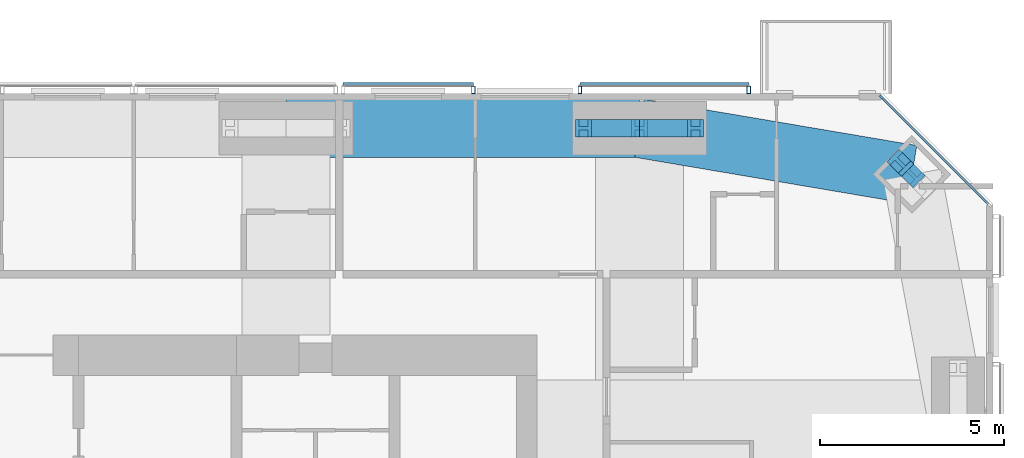
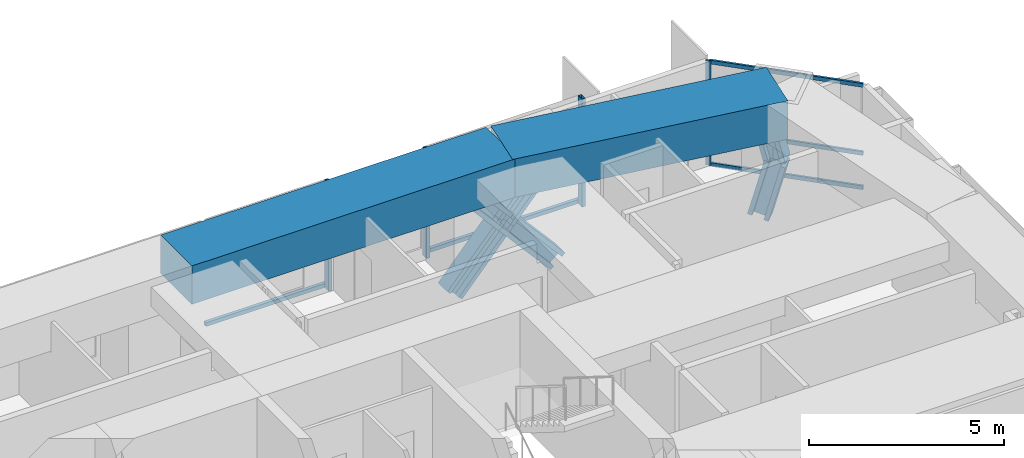
# One storey, part 11 of 19: 15 members, 2 beams, 3 elements without a shape of their own.
"""IFC4 building model written with IfcOpenShell, lengths in metres."""

from ifc_helpers import new_model, si_unit, direction, frame, origin, origin_2d, place, context, subcontext, project, spatial, rectangle, hollow_rectangle, i_section, extrude, material, material_profile, profile_set, type_object, element, aggregate, save


model = new_model("IFC4")

# Units and contexts
model_context = context("Model", 3, precision=1e-05, world=origin(), true_north=direction((0.0, 1.0)))
body_context = subcontext(model_context, "Body", "Model", "MODEL_VIEW")
ifc_project = project(units=[si_unit("LENGTHUNIT", "METRE"), si_unit("AREAUNIT", "SQUARE_METRE"), si_unit("VOLUMEUNIT", "CUBIC_METRE"), si_unit("PLANEANGLEUNIT", "RADIAN"), si_unit("MASSUNIT", "GRAM", prefix="KILO")], contexts=[model_context])

# Site, building, storey
site_placement = place(None, origin())
site = spatial("IfcSite", under=ifc_project, at=site_placement, CompositionType="ELEMENT")
building_placement = place(site_placement, origin())
building = spatial("IfcBuilding", under=site, at=building_placement, Name="Jalousie Tower", CompositionType="ELEMENT")
storey_placement = place(building_placement, frame((0.0, 0.0, 221.449951171875)))
storey = spatial("IfcBuildingStorey", under=building, at=storey_placement, Name="L60", CompositionType="ELEMENT", Elevation=221.449951171875)

# Curtain wall, members
ifc_material_1 = material(Name="Aluminium curtain wall", Category="aluminium")
curtain_wall_type_1 = type_object("IfcCurtainWallType", Name="CORNER WINDOW WALL", PredefinedType="USERDEFINED", material=ifc_material_1)
curtain_wall_1_placement = place(storey_placement, origin())
curtain_wall_1 = element("IfcCurtainWall", 1, at=curtain_wall_1_placement, inside=storey, type_object=curtain_wall_type_1, Name="Corner Window Wall L60 4", ObjectType="CORNER WINDOW WALL", PredefinedType="USERDEFINED")
ifc_material_2 = material(Name="Aluminium mullion", Category="aluminium")
ifc_material_profile_1 = material_profile(ifc_material_2, rectangle(XDim=0.06005859375, YDim=0.14990234375, at=origin_2d()), Name="MULLION 60x150")
ifc_profile_set_1 = profile_set([ifc_material_profile_1], Name="Aluminium mullion")
member_type_1 = type_object("IfcMemberType", Name="CORNER WINDOW WALL MULLION", PredefinedType="MULLION", material=ifc_profile_set_1)
member_1_placement = place(storey_placement, frame((53.469970703125, 33.891357421875, 0.0), z_axis=(0.0, 0.0, 1.0), x_axis=(-0.707106781187, -0.707106781187, 0.0)))
member_1 = element("IfcMember", 2, at=member_1_placement, type_object=member_type_1, Name="CW-C mullion 2", PredefinedType="MULLION", context=body_context, shape_type="SweptSolid", body=[
    extrude(rectangle(XDim=0.06005859375, YDim=0.14990234375, at=origin_2d()), origin(), (0.0, 0.0, 1.0), 3.260009765625),
])
ifc_material_3 = material(Name="Aluminium transom", Category="aluminium")
ifc_material_profile_2 = material_profile(ifc_material_3, rectangle(XDim=0.06005859375, YDim=0.1201171875, at=origin_2d()), Name="TRANSOM 60x120")
ifc_profile_set_2 = profile_set([ifc_material_profile_2], Name="Aluminium transom")
member_type_2 = type_object("IfcMemberType", Name="CORNER WINDOW WALL TRANSOM", PredefinedType="USERDEFINED", material=ifc_profile_set_2)
member_2_placement = place(storey_placement, frame((56.3701171875, 30.9912109375, 0.030029296875), z_axis=(-0.707106781187, 0.707106781187, 0.0), x_axis=(-0.707106781187, -0.707106781187, 0.0)))
member_2 = element("IfcMember", 3, at=member_2_placement, type_object=member_type_2, Name="CW-C transom 1.1", ObjectType="TRANSOM", PredefinedType="USERDEFINED", context=body_context, shape_type="SweptSolid", body=[
    extrude(rectangle(XDim=0.06005859375, YDim=0.1201171875, at=origin_2d()), origin(), (0.0, 0.0, 1.0), 4.0712890625),
])
member_3_placement = place(storey_placement, frame((56.3701171875, 30.9912109375, 1.10009765625), z_axis=(-0.707106781187, 0.707106781187, 0.0), x_axis=(-0.707106781187, -0.707106781187, 0.0)))
member_3 = element("IfcMember", 4, at=member_3_placement, type_object=member_type_2, Name="CW-C transom 1.2", ObjectType="TRANSOM", PredefinedType="USERDEFINED", context=body_context, shape_type="SweptSolid", body=[
    extrude(rectangle(XDim=0.06005859375, YDim=0.1201171875, at=origin_2d()), origin(), (0.0, 0.0, 1.0), 4.0712890625),
])
member_4_placement = place(storey_placement, frame((56.3701171875, 30.9912109375, 3.22998046875), z_axis=(-0.707106781187, 0.707106781187, 0.0), x_axis=(-0.707106781187, -0.707106781187, 0.0)))
member_4 = element("IfcMember", 5, at=member_4_placement, type_object=member_type_2, Name="CW-C transom 1.3", ObjectType="TRANSOM", PredefinedType="USERDEFINED", context=body_context, shape_type="SweptSolid", body=[
    extrude(rectangle(XDim=0.06005859375, YDim=0.1201171875, at=origin_2d()), origin(), (0.0, 0.0, 1.0), 4.0712890625),
])
aggregate(curtain_wall_1, [member_1, member_2, member_3, member_4])

# Members
ifc_material_4 = material(Name="Steel ASTM A992 Grade 50", Category="steel")
ifc_material_profile_3 = material_profile(ifc_material_4, i_section(OverallWidth=0.472412109375, OverallDepth=0.5791015625, WebThickness=0.094970703125, FlangeThickness=0.1298828125, at=origin_2d()), Name="W14X808")
ifc_profile_set_3 = profile_set([ifc_material_profile_3], Name="Steel ASTM A992 Grade 50")
member_type_3 = type_object("IfcMemberType", Name="PERIMETER BRACE W14X808", PredefinedType="BRACE", material=ifc_profile_set_3)
for number, where, z_axis, x_axis, name in (
    (6, (54.29296875, 31.79296875, 1.150146484375), (-0.17618653952, 0.176051427143, 0.968485517854), (-0.706835495285, -0.707377963048, 0.0), "Perimeter brace 08 L60 part 2"),
    (7, (53.974609375, 32.111083984375, -0.599853515625), (0.17618653952, -0.176051427143, 0.968485517854), (0.706835495285, 0.707377963048, 0.0), "Perimeter brace 08 L60 part 3"),
):
    element("IfcMember", number, at=place(storey_placement, frame(where, z_axis=z_axis, x_axis=x_axis)), inside=storey, type_object=member_type_3, Name=name, PredefinedType="BRACE", context=body_context, shape_type="SweptSolid", body=[
        extrude(i_section(OverallWidth=0.472412109375, OverallDepth=0.5791015625, WebThickness=0.094970703125, FlangeThickness=0.1298828125, at=origin_2d()), origin(), (0.0, 0.0, 1.0), 1.806884765625),
    ])
for number, where, z_axis, x_axis, name in (
    (8, (45.35009765625, 33.050048828125, -0.599853515625), (0.65695436777, 0.0, 0.753930340726), (0.0, 1.0, 0.0), "Perimeter brace 09 L60 part 1"),
    (9, (46.875, 33.050048828125, 1.150146484375), (0.65695436777, 0.0, 0.753930340726), (0.0, 1.0, 0.0), "Perimeter brace 09 L60 part 2"),
    (10, (48.39990234375, 33.050048828125, -0.599853515625), (-0.65695436777, 0.0, 0.753930340726), (0.0, -1.0, 0.0), "Perimeter brace 09 L60 part 3"),
    (11, (46.875, 33.050048828125, 1.150146484375), (-0.65695436777, 0.0, 0.753930340726), (0.0, -1.0, 0.0), "Perimeter brace 09 L60 part 4"),
):
    element("IfcMember", number, at=place(storey_placement, frame(where, z_axis=z_axis, x_axis=x_axis)), inside=storey, type_object=member_type_3, Name=name, PredefinedType="BRACE", context=body_context, shape_type="SweptSolid", body=[
        extrude(i_section(OverallWidth=0.472412109375, OverallDepth=0.5791015625, WebThickness=0.094970703125, FlangeThickness=0.1298828125, at=origin_2d()), origin(), (0.0, 0.0, 1.0), 2.3212890625),
    ])

# Beams
ifc_material_5 = material(Name="Concrete f'c 40 MPa", Category="concrete")
ifc_material_profile_4 = material_profile(ifc_material_5, rectangle(XDim=1.60009765625, YDim=1.199951171875, at=origin_2d()), Name="RC 1600x1200")
ifc_profile_set_4 = profile_set([ifc_material_profile_4], Name="Concrete f'c 40 MPa")
beam_type = type_object("IfcBeamType", Name="RC BEAM 1600x1200", PredefinedType="BEAM", material=ifc_profile_set_4)
beam_1_placement = place(storey_placement, frame((54.29296875, 31.79296875, 2.900146484375), z_axis=(-0.985942997446, 0.167082033105, 0.0), x_axis=(-0.167082033105, -0.985942997446, 0.0)))
element("IfcBeam", 12, at=beam_1_placement, inside=storey, type_object=beam_type, Name="Edge band beam 08-09 under L61", PredefinedType="BEAM", context=body_context, shape_type="SweptSolid", body=[
    extrude(rectangle(XDim=1.60009765625, YDim=1.199951171875, at=origin_2d()), origin(), (0.0, 0.0, 1.0), 7.523681640625),
])
beam_2_placement = place(storey_placement, frame((46.875, 33.050048828125, 2.900146484375), z_axis=(-1.0, 0.0, 0.0), x_axis=(0.0, -1.0, 0.0)))
element("IfcBeam", 13, at=beam_2_placement, inside=storey, type_object=beam_type, Name="Edge band beam 09-10 under L61", PredefinedType="BEAM", context=body_context, shape_type="SweptSolid", body=[
    extrude(rectangle(XDim=1.60009765625, YDim=1.199951171875, at=origin_2d()), origin(), (0.0, 0.0, 1.0), 9.625),
])

# Curtain wall, members
ifc_material_6 = material(Name="Perforated aluminium sheet", Category="aluminium")
curtain_wall_type_2 = type_object("IfcCurtainWallType", Name="SOLAR SCREEN SS-2", PredefinedType="USERDEFINED", material=ifc_material_6)
curtain_wall_2_placement = place(storey_placement, origin())
curtain_wall_2 = element("IfcCurtainWall", 14, at=curtain_wall_2_placement, inside=storey, type_object=curtain_wall_type_2, Name="Solar screen L60", ObjectType="SOLAR SCREEN SS-2", PredefinedType="USERDEFINED")
ifc_material_7 = material(Name="Steel ASTM A500 Grade C", Category="steel")
ifc_material_profile_5 = material_profile(ifc_material_7, hollow_rectangle(XDim=0.1015625, YDim=0.203125, WallThickness=0.0078125, at=origin_2d()), Name="HSS8X4X5/16")
ifc_profile_set_5 = profile_set([ifc_material_profile_5], Name="Steel ASTM A500 Grade C")
member_type_4 = type_object("IfcMemberType", Name="SOLAR SCREEN SS-2 MULLION", PredefinedType="MULLION", material=ifc_profile_set_5)
member_5_placement = place(storey_placement, frame((49.8486328125, 34.0966796875, -0.119873046875), z_axis=(0.0, 0.0, 1.0), x_axis=(-1.0, 0.0, 0.0)))
member_5 = element("IfcMember", 15, at=member_5_placement, type_object=member_type_4, Name="SS2 post 1", PredefinedType="MULLION", context=body_context, shape_type="SweptSolid", body=[
    extrude(hollow_rectangle(XDim=0.1015625, YDim=0.203125, WallThickness=0.0078125, at=origin_2d()), origin(), (0.0, 0.0, 1.0), 3.3798828125),
])
member_6_placement = place(storey_placement, frame((45.25, 34.0966796875, -0.119873046875), z_axis=(0.0, 0.0, 1.0), x_axis=(-1.0, 0.0, 0.0)))
member_6 = element("IfcMember", 16, at=member_6_placement, type_object=member_type_4, Name="SS2 post 2", PredefinedType="MULLION", context=body_context, shape_type="SweptSolid", body=[
    extrude(hollow_rectangle(XDim=0.1015625, YDim=0.203125, WallThickness=0.0078125, at=origin_2d()), origin(), (0.0, 0.0, 1.0), 3.3798828125),
])

# Curtain wall, member
curtain_wall_3_placement = place(storey_placement, origin())
curtain_wall_3 = element("IfcCurtainWall", 17, at=curtain_wall_3_placement, inside=storey, type_object=curtain_wall_type_2, Name="Solar screen L60", ObjectType="SOLAR SCREEN SS-2", PredefinedType="USERDEFINED")
member_7_placement = place(storey_placement, frame((42.35009765625, 34.0966796875, -0.119873046875), z_axis=(0.0, 0.0, 1.0), x_axis=(-1.0, 0.0, 0.0)))
member_7 = element("IfcMember", 18, at=member_7_placement, type_object=member_type_4, Name="SS2 post 1", PredefinedType="MULLION", context=body_context, shape_type="SweptSolid", body=[
    extrude(hollow_rectangle(XDim=0.1015625, YDim=0.203125, WallThickness=0.0078125, at=origin_2d()), origin(), (0.0, 0.0, 1.0), 3.3798828125),
])

# Member
ifc_material_8 = material(Name="Extruded aluminium screen rail", Category="aluminium")
ifc_material_profile_6 = material_profile(ifc_material_8, rectangle(XDim=0.1015625, YDim=0.1201171875, at=origin_2d()), Name="RAIL 102x120")
ifc_profile_set_6 = profile_set([ifc_material_profile_6], Name="Extruded aluminium screen rail")
member_type_5 = type_object("IfcMemberType", Name="SOLAR SCREEN SS-2 TRANSOM", PredefinedType="USERDEFINED", material=ifc_profile_set_6)
member_8_placement = place(storey_placement, frame((49.8486328125, 34.2490234375, -0.06005859375), z_axis=(-1.0, 0.0, 0.0), x_axis=(0.0, -1.0, 0.0)))
member_8 = element("IfcMember", 19, at=member_8_placement, type_object=member_type_5, Name="SS2 rail", ObjectType="TRANSOM", PredefinedType="USERDEFINED", context=body_context, shape_type="SweptSolid", body=[
    extrude(rectangle(XDim=0.1015625, YDim=0.1201171875, at=origin_2d()), origin(), (0.0, 0.0, 1.0), 4.5986328125),
])

aggregate(curtain_wall_2, [member_5, member_6, member_8])

member_9_placement = place(storey_placement, frame((42.35009765625, 34.2490234375, -0.06005859375), z_axis=(-1.0, 0.0, 0.0), x_axis=(0.0, -1.0, 0.0)))
member_9 = element("IfcMember", 20, at=member_9_placement, type_object=member_type_5, Name="SS2 rail", ObjectType="TRANSOM", PredefinedType="USERDEFINED", context=body_context, shape_type="SweptSolid", body=[
    extrude(rectangle(XDim=0.1015625, YDim=0.1201171875, at=origin_2d()), origin(), (0.0, 0.0, 1.0), 3.550048828125),
])

aggregate(curtain_wall_3, [member_7, member_9])

save(model, "model.ifc")
